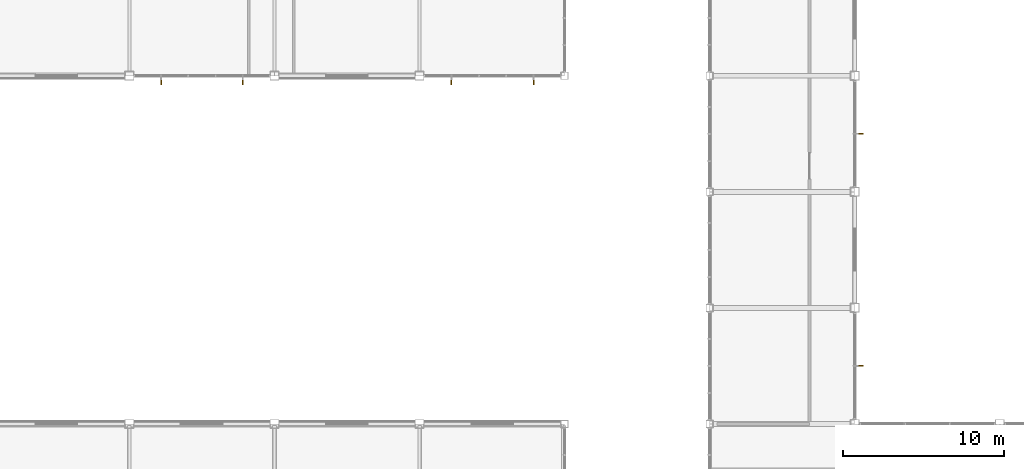
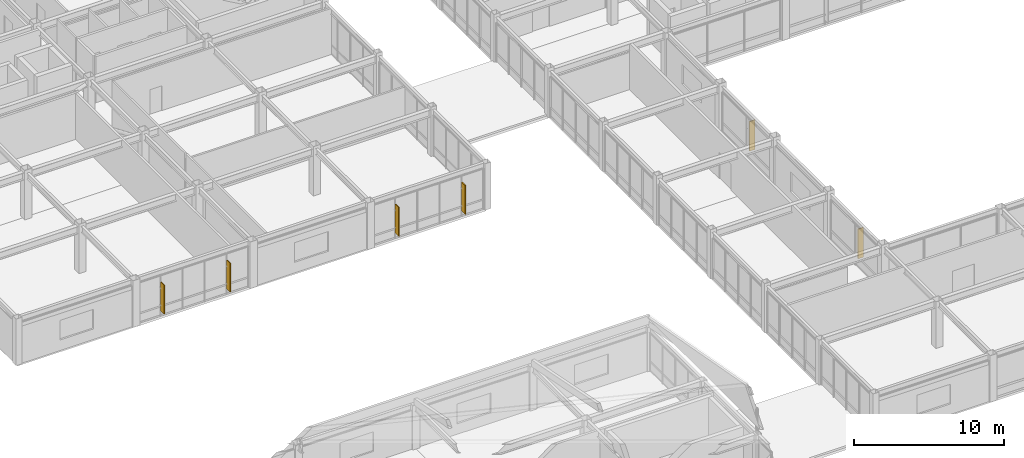
# One storey, part 108 of 113: 6 shading devices.
"""IFC4 building model written with IfcOpenShell, lengths in metres."""

import ifcopenshell
import ifcopenshell.guid

model = None  # the IFC model being written
_history = None  # IfcOwnerHistory: only IFC2X3 demands one
_inside = {}  # id of a spatial element -> (the spatial element, [elements in it])
_under = {}  # id of a project, library or spatial element -> (it, [spatial elements below it])
_declared = {}  # id of a project -> (the project, [libraries it declares])
_typed = {}  # id of a type object -> (the type object, [elements of that type])
_made_of = {}  # id of a material, layer set ... -> (it, [elements and type objects made of it])


def new_model(schema):
    """Start an empty IFC model of exactly this schema.

    Asked for "IFC4X3", IfcOpenShell would pick the latest addendum, in which some entities
    have other attributes; the version numbers below select the first issue.
    IFC2X3 requires an IfcOwnerHistory on every rooted entity: one is made here for all.
    """
    global model, _history
    if schema == "IFC4X3":
        model = ifcopenshell.file(schema_version=(4, 3, 0, 0))
    else:
        model = ifcopenshell.file(schema=schema)
    _inside.clear()
    _under.clear()
    _declared.clear()
    _typed.clear()
    _made_of.clear()
    _history = None
    if model.schema == "IFC2X3":
        org = make("IfcOrganization", Name="unknown")
        user = make(
            "IfcPersonAndOrganization",
            ThePerson=make("IfcPerson", FamilyName="unknown"),
            TheOrganization=org,
        )
        app = make(
            "IfcApplication",
            ApplicationDeveloper=org,
            Version="unknown",
            ApplicationFullName="unknown",
            ApplicationIdentifier="unknown",
        )
        _history = make(
            "IfcOwnerHistory",
            OwningUser=user,
            OwningApplication=app,
            ChangeAction="ADDED",
            CreationDate=0,
        )
    return model


def make(cls, **values):
    """One entity of the class cls with the attributes given. An attribute that is None is left unset."""
    return model.create_entity(
        cls, **{name: value for name, value in values.items() if value is not None}
    )


def rooted(cls, **values):
    """An entity with a GlobalId (a new one), such as an element, a storey or a relation."""
    return make(cls, GlobalId=ifcopenshell.guid.new(), OwnerHistory=_history, **values)


def si_unit(unit_type, name, prefix=None):
    """IfcSIUnit, for example si_unit("LENGTHUNIT", "METRE", prefix="MILLI")."""
    return make("IfcSIUnit", UnitType=unit_type, Prefix=prefix, Name=name)


def assignment(units):
    """IfcUnitAssignment: the units of a project."""
    return None if units is None else make("IfcUnitAssignment", Units=units)


def point(xyz):
    """IfcCartesianPoint."""
    return None if xyz is None else make("IfcCartesianPoint", Coordinates=xyz)


def direction(xyz):
    """IfcDirection."""
    return None if xyz is None else make("IfcDirection", DirectionRatios=xyz)


def frame(location, z_axis=None, x_axis=None):
    """IfcAxis2Placement3D, a coordinate frame: its origin and axes. An axis left out is left unset."""
    return make(
        "IfcAxis2Placement3D",
        Location=point(location),
        Axis=direction(z_axis),
        RefDirection=direction(x_axis),
    )


def frame_2d(location, x_axis=None):
    """IfcAxis2Placement2D, a coordinate frame in the plane: its origin and x axis."""
    return make(
        "IfcAxis2Placement2D", Location=point(location), RefDirection=direction(x_axis)
    )


def origin():
    """The frame at (0, 0, 0) with its axes left unset."""
    return frame((0.0, 0.0, 0.0))


def origin_2d():
    """The frame at (0, 0) in the plane with its x axis left unset."""
    return frame_2d((0.0, 0.0))


def place(relative_to, where):
    """IfcLocalPlacement: puts the frame where relative to a parent placement (None: the world)."""
    return make(
        "IfcLocalPlacement", PlacementRelTo=relative_to, RelativePlacement=where
    )


def context(
    kind, dimensions, precision=None, world=None, true_north=None, identifier=None
):
    """IfcGeometricRepresentationContext, for example the 3D "Model" context."""
    return make(
        "IfcGeometricRepresentationContext",
        ContextIdentifier=identifier,
        ContextType=kind,
        CoordinateSpaceDimension=dimensions,
        Precision=precision,
        WorldCoordinateSystem=world,
        TrueNorth=true_north,
    )


def subcontext(parent, identifier, kind, view, scale=None):
    """IfcGeometricRepresentationSubContext, for example "Body" below "Model"."""
    return make(
        "IfcGeometricRepresentationSubContext",
        ContextIdentifier=identifier,
        ContextType=kind,
        ParentContext=parent,
        TargetScale=scale,
        TargetView=view,
    )


def project(units=None, contexts=None):
    """IfcProject with its units and contexts."""
    return rooted(
        "IfcProject",
        Name="project",
        RepresentationContexts=contexts,
        UnitsInContext=assignment(units),
    )


def spatial(cls, under=None, at=None, **own):
    """A site, building, storey or space (cls), placed at a placement, below another one or the project."""
    s = rooted(cls, ObjectPlacement=at, **own)
    if under is not None:
        _under.setdefault(under.id(), (under, []))[1].append(s)
    return s


def profile(cls, at=None, kind="AREA", **sizes):
    """A parametric profile (cls). Its sizes go by their IFC names, for example OverallWidth=200.0."""
    return make(cls, ProfileType=kind, Position=at, **sizes)


def rectangle(**sizes):
    """IfcRectangleProfileDef."""
    return profile("IfcRectangleProfileDef", **sizes)


def extrude(swept, where, along, depth):
    """IfcExtrudedAreaSolid: the profile swept, set in the frame where, extruded along a direction by depth."""
    return make(
        "IfcExtrudedAreaSolid",
        SweptArea=swept,
        Position=where,
        ExtrudedDirection=direction(along),
        Depth=depth,
    )


def shape(context_of_items, identifier, shape_type, items):
    """IfcShapeRepresentation: the items that make up one representation, for example the "Body"."""
    return make(
        "IfcShapeRepresentation",
        ContextOfItems=context_of_items,
        RepresentationIdentifier=identifier,
        RepresentationType=shape_type,
        Items=items,
    )


def material(Name=None, Category=None):
    """IfcMaterial."""
    return make("IfcMaterial", Name=Name, Category=Category)


def made_of(thing, what):
    """Note that an element or type object is made of a material, layer set ...; save() writes the relation."""
    if what is not None:
        _made_of.setdefault(what.id(), (what, []))[1].append(thing)
    return thing


def type_object(cls, material=None, **own):
    """A type object (cls), such as IfcWallType, which elements share."""
    return made_of(rooted(cls, **own), material)


def element(
    cls,
    number,
    at=None,
    inside=None,
    cuts=None,
    type_object=None,
    material=None,
    context=None,
    identifier="Body",
    shape_type=None,
    held_by="IfcProductDefinitionShape",
    body=None,
    shapes=None,
    **own,
):
    """One element of the class cls, such as IfcWall. Its Tag is "e" and its number.

    at: its placement. inside: the storey or other place that contains it. cuts: it is an
    opening in that element (IfcRelVoidsElement). A single representation is given by context,
    identifier, shape_type and body (its items); several are given by shapes. held_by: the class
    of the entity that holds the representations. save() writes the other relations.
    """
    e = rooted(cls, Tag="e%d" % number, ObjectPlacement=at, **own)
    if body is not None:
        shapes = [shape(context, identifier, shape_type, body)]
    if shapes is not None:
        e.Representation = make(held_by, Representations=shapes)
    if inside is not None:
        _inside.setdefault(inside.id(), (inside, []))[1].append(e)
    if cuts is not None:
        rooted(
            "IfcRelVoidsElement", RelatingBuildingElement=cuts, RelatedOpeningElement=e
        )
    if type_object is not None:
        _typed.setdefault(type_object.id(), (type_object, []))[1].append(e)
    return made_of(e, material)


def aggregate(whole, parts):
    """IfcRelAggregates: a whole, such as a stair, and the parts it consists of."""
    return rooted("IfcRelAggregates", RelatingObject=whole, RelatedObjects=parts)


def save(model, path):
    """Write the relations noted so far, then the file.

    IfcRelAggregates (storeys below a building ...), IfcRelContainedInSpatialStructure (elements
    in a storey), IfcRelDefinesByType, IfcRelAssociatesMaterial and IfcRelDeclares: one each for
    every whole, place, type object, material and project.
    """
    for whole, parts in _under.values():
        aggregate(whole, parts)
    for where, things in _inside.values():
        rooted(
            "IfcRelContainedInSpatialStructure",
            RelatedElements=things,
            RelatingStructure=where,
        )
    for kind, things in _typed.values():
        rooted("IfcRelDefinesByType", RelatedObjects=things, RelatingType=kind)
    for what, things in _made_of.values():
        rooted("IfcRelAssociatesMaterial", RelatedObjects=things, RelatingMaterial=what)
    for by, libraries in _declared.values():
        rooted("IfcRelDeclares", RelatingContext=by, RelatedDefinitions=libraries)
    model.write(path)


model = new_model("IFC4")

# Units and contexts
model_context = context("Model", 3, precision=1e-05, world=origin(), true_north=direction((0.0, 1.0)))
body_context = subcontext(model_context, "Body", "Model", "MODEL_VIEW")
ifc_project = project(units=[si_unit("LENGTHUNIT", "METRE"), si_unit("AREAUNIT", "SQUARE_METRE"), si_unit("VOLUMEUNIT", "CUBIC_METRE"), si_unit("PLANEANGLEUNIT", "RADIAN"), si_unit("MASSUNIT", "GRAM", prefix="KILO")], contexts=[model_context])

# Site, building, storey
site_placement = place(None, origin())
site = spatial("IfcSite", under=ifc_project, at=site_placement, CompositionType="ELEMENT")
building_placement = place(site_placement, origin())
building = spatial("IfcBuilding", under=site, at=building_placement, Name="Kazanami Central Library", CompositionType="ELEMENT")
storey_placement = place(building_placement, frame((0.0, 0.0, 8.800048828125)))
storey = spatial("IfcBuildingStorey", under=building, at=storey_placement, Name="L03", CompositionType="ELEMENT", Elevation=8.800048828125)

# Shading devices
ifc_material = material(Name="Anodised Bronze-Grey Aluminium A6063-T5", Category="aluminium")
shading_device_type_1 = type_object("IfcShadingDeviceType", Name="SHD-FIN-2", PredefinedType="USERDEFINED", material=ifc_material)
for number, where, z_axis, x_axis, name in (
    (1, (54.330078125, 39.60009765625, 0.447509765625), (0.0, 0.0, 1.0), (0.0, -1.0, 0.0), "Vertical Solar Fin SF-02 L03 E-7-05.1"),
    (2, (54.330078125, 54.0, 0.447509765625), (0.0, 0.0, 1.0), (0.0, -1.0, 0.0), "Vertical Solar Fin SF-02 L03 E-7-07.1"),
):
    element("IfcShadingDevice", number, at=place(storey_placement, frame(where, z_axis=z_axis, x_axis=x_axis)), inside=storey, type_object=shading_device_type_1, Name=name, ObjectType="SOLAR FIN", PredefinedType="USERDEFINED", context=body_context, shape_type="SweptSolid", body=[
        extrude(rectangle(XDim=0.06494140625, YDim=0.419921875, at=origin_2d()), origin(), (0.0, 0.0, 1.0), 2.39990234375),
    ])
shading_device_type_2 = type_object("IfcShadingDeviceType", Name="SHD-FIN-3", PredefinedType="USERDEFINED", material=ifc_material)
for number, where, z_axis, x_axis, name in (
    (3, (10.965087890625, 57.2548828125, 0.489990234375), (0.0, 0.0, 1.0), (1.0, 0.0, 0.0), "Vertical Solar Fin SF-03 L03 S-J-01.1"),
    (4, (16.034912109375, 57.2548828125, 0.489990234375), (0.0, 0.0, 1.0), (1.0, 0.0, 0.0), "Vertical Solar Fin SF-03 L03 S-J-01.2"),
    (5, (28.97509765625, 57.2548828125, 0.489990234375), (0.0, 0.0, 1.0), (1.0, 0.0, 0.0), "Vertical Solar Fin SF-03 L03 S-J-03.1"),
    (6, (34.074951171875, 57.2548828125, 0.489990234375), (0.0, 0.0, 1.0), (1.0, 0.0, 0.0), "Vertical Solar Fin SF-03 L03 S-J-03.2"),
):
    element("IfcShadingDevice", number, at=place(storey_placement, frame(where, z_axis=z_axis, x_axis=x_axis)), inside=storey, type_object=shading_device_type_2, Name=name, ObjectType="SOLAR FIN", PredefinedType="USERDEFINED", context=body_context, shape_type="SweptSolid", body=[
        extrude(rectangle(XDim=0.06494140625, YDim=0.449951171875, at=origin_2d()), origin(), (0.0, 0.0, 1.0), 2.35009765625),
    ])

save(model, "model.ifc")
